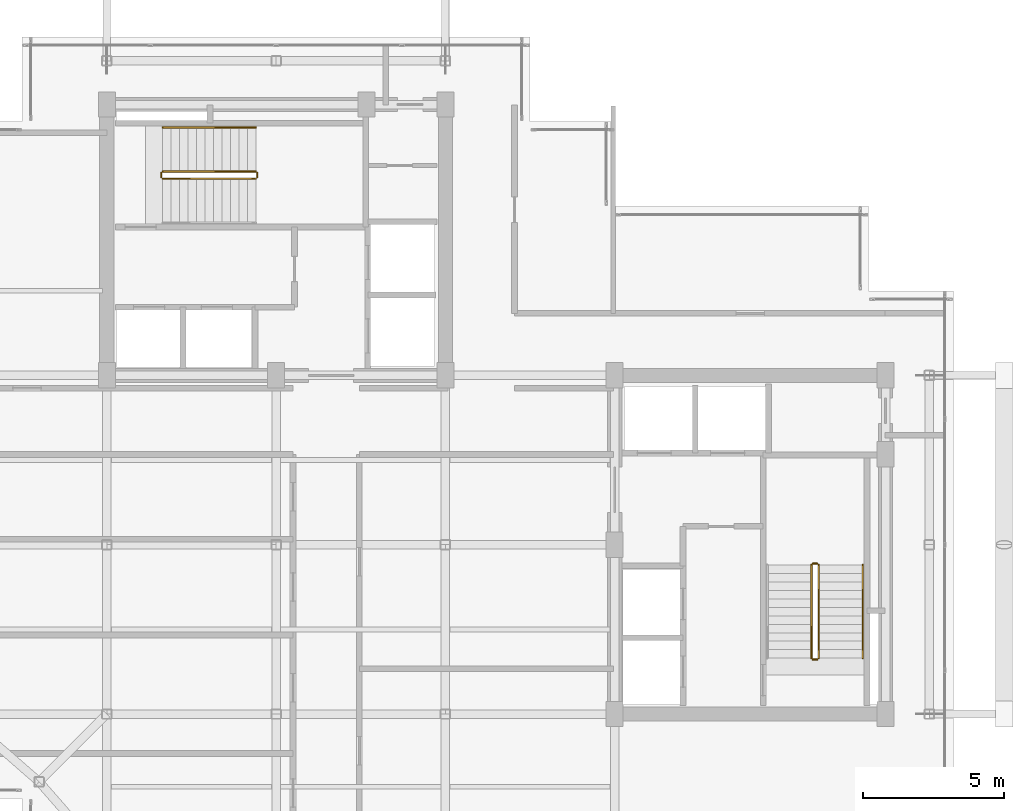
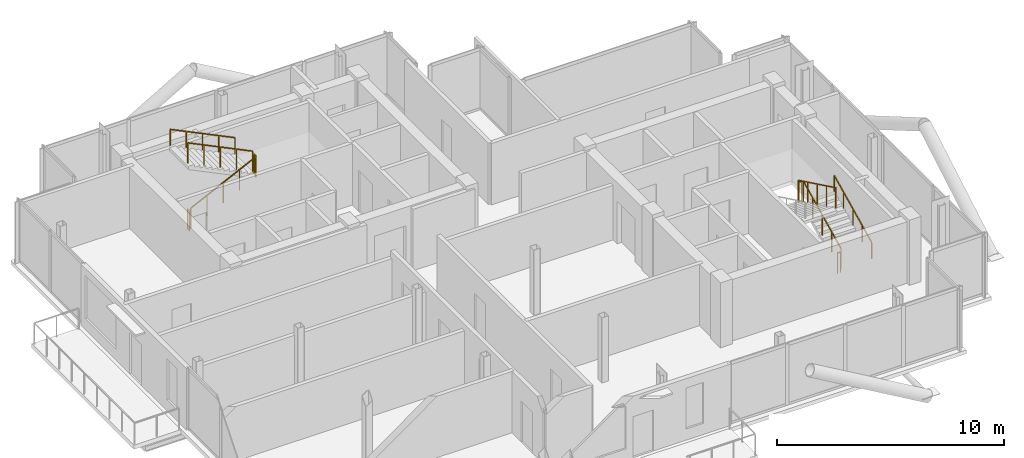
# One storey, part 18 of 18: 10 railings.
"""IFC4 building model written with IfcOpenShell, lengths in metres."""

from ifc_helpers import new_model, si_unit, direction, frame, origin, origin_2d, place, context, subcontext, project, spatial, rectangle, extrude, material, type_object, element, save


model = new_model("IFC4")

# Units and contexts
model_context = context("Model", 3, precision=1e-05, world=origin(), true_north=direction((0.0, 1.0)))
body_context = subcontext(model_context, "Body", "Model", "MODEL_VIEW")
ifc_project = project(units=[si_unit("LENGTHUNIT", "METRE"), si_unit("AREAUNIT", "SQUARE_METRE"), si_unit("VOLUMEUNIT", "CUBIC_METRE"), si_unit("PLANEANGLEUNIT", "RADIAN"), si_unit("MASSUNIT", "GRAM", prefix="KILO"), si_unit("THERMODYNAMICTEMPERATUREUNIT", "KELVIN"), si_unit("POWERUNIT", "WATT")], contexts=[model_context])

# Site, building, storey
site_placement = place(None, origin())
site = spatial("IfcSite", under=ifc_project, at=site_placement, CompositionType="ELEMENT")
building_placement = place(site_placement, origin())
building = spatial("IfcBuilding", under=site, at=building_placement, Name="Svarakhadi Broadcast Tower", CompositionType="ELEMENT")
storey_placement = place(building_placement, frame((0.0, 0.0, 278.199951171875)))
storey = spatial("IfcBuildingStorey", under=building, at=storey_placement, Name="L70", CompositionType="ELEMENT", Elevation=278.199951171875)

# Railings
ifc_material = material(Name="Anodised Bronze Aluminium AA 6063-T6", Category="aluminium")
railing_type_1 = type_object("IfcRailingType", Name="Guard_Stair_GR01", PredefinedType="GUARDRAIL", material=ifc_material)
railing_1_placement = place(storey_placement, frame((7.97998046875, 24.969970703125, 0.14599609375)))
element("IfcRailing", 1, at=railing_1_placement, inside=storey, type_object=railing_type_1, Name="L70 ST-01 stair guard 1", PredefinedType="GUARDRAIL", context=body_context, shape_type="SweptSolid", body=[
    extrude(rectangle(XDim=0.048095703125, YDim=0.048095703125, at=origin_2d()), frame((0.0, 0.0, 1.09619140625), z_axis=(0.899387838337, 0.0, 0.437151594131), x_axis=(0.0, 1.0, 0.0)), (0.0, 0.0, 1.0), 3.669189453125),
    extrude(rectangle(XDim=0.0419921875, YDim=0.0419921875, at=origin_2d()), origin(), (0.0, 0.0, 1.0), 1.072021484375),
    extrude(rectangle(XDim=0.0419921875, YDim=0.0419921875, at=origin_2d()), frame((0.824951171875, 0.0, 0.40087890625)), (0.0, 0.0, 1.0), 1.072021484375),
    extrude(rectangle(XDim=0.0419921875, YDim=0.0419921875, at=origin_2d()), frame((1.64990234375, 0.0, 0.802001953125)), (0.0, 0.0, 1.0), 1.072021484375),
    extrude(rectangle(XDim=0.0419921875, YDim=0.0419921875, at=origin_2d()), frame((2.47509765625, 0.0, 1.203125)), (0.0, 0.0, 1.0), 1.072021484375),
    extrude(rectangle(XDim=0.0419921875, YDim=0.0419921875, at=origin_2d()), frame((3.300048828125, 0.0, 1.60400390625)), (0.0, 0.0, 1.0), 1.072021484375),
])
railing_2_placement = place(storey_placement, frame((11.330078125, 25.02001953125, 1.75)))
element("IfcRailing", 2, at=railing_2_placement, inside=storey, type_object=railing_type_1, Name="L70 ST-01 stair guard 2", PredefinedType="GUARDRAIL", context=body_context, shape_type="SweptSolid", body=[
    extrude(rectangle(XDim=0.048095703125, YDim=0.048095703125, at=origin_2d()), frame((0.0, 0.0, 1.09619140625), z_axis=(0.0, 1.0, 0.0), x_axis=(-1.0, 0.0, 0.0)), (0.0, 0.0, 1.0), 0.159912109375),
    extrude(rectangle(XDim=0.0419921875, YDim=0.0419921875, at=origin_2d()), origin(), (0.0, 0.0, 1.0), 1.072021484375),
    extrude(rectangle(XDim=0.0419921875, YDim=0.0419921875, at=origin_2d()), frame((0.0, 0.159912109375, 0.0)), (0.0, 0.0, 1.0), 1.072021484375),
])
railing_3_placement = place(storey_placement, frame((11.280029296875, 25.22998046875, 1.89599609375)))
element("IfcRailing", 3, at=railing_3_placement, inside=storey, type_object=railing_type_1, Name="L70 ST-01 stair guard 3", PredefinedType="GUARDRAIL", context=body_context, shape_type="SweptSolid", body=[
    extrude(rectangle(XDim=0.048095703125, YDim=0.048095703125, at=origin_2d()), frame((0.0, 0.0, 1.09619140625), z_axis=(-0.899387838337, 0.0, 0.437151594131), x_axis=(0.0, -1.0, 0.0)), (0.0, 0.0, 1.0), 3.669189453125),
    extrude(rectangle(XDim=0.0419921875, YDim=0.0419921875, at=origin_2d()), origin(), (0.0, 0.0, 1.0), 1.072021484375),
    extrude(rectangle(XDim=0.0419921875, YDim=0.0419921875, at=origin_2d()), frame((-0.824951171875, 0.0, 0.40087890625)), (0.0, 0.0, 1.0), 1.072021484375),
    extrude(rectangle(XDim=0.0419921875, YDim=0.0419921875, at=origin_2d()), frame((-1.64990234375, 0.0, 0.802001953125)), (0.0, 0.0, 1.0), 1.072021484375),
    extrude(rectangle(XDim=0.0419921875, YDim=0.0419921875, at=origin_2d()), frame((-2.47509765625, 0.0, 1.203125)), (0.0, 0.0, 1.0), 1.072021484375),
    extrude(rectangle(XDim=0.0419921875, YDim=0.0419921875, at=origin_2d()), frame((-3.300048828125, 0.0, 1.60400390625)), (0.0, 0.0, 1.0), 1.072021484375),
])
railing_4_placement = place(storey_placement, frame((7.929931640625, 25.02001953125, 0.0)))
element("IfcRailing", 4, at=railing_4_placement, inside=storey, type_object=railing_type_1, Name="L70 ST-01 stair guard 4", PredefinedType="GUARDRAIL", context=body_context, shape_type="SweptSolid", body=[
    extrude(rectangle(XDim=0.048095703125, YDim=0.048095703125, at=origin_2d()), frame((0.0, 0.0, 1.09619140625), z_axis=(0.0, 1.0, 0.0), x_axis=(-1.0, 0.0, 0.0)), (0.0, 0.0, 1.0), 0.159912109375),
    extrude(rectangle(XDim=0.0419921875, YDim=0.0419921875, at=origin_2d()), origin(), (0.0, 0.0, 1.0), 1.072021484375),
    extrude(rectangle(XDim=0.0419921875, YDim=0.0419921875, at=origin_2d()), frame((0.0, 0.159912109375, 0.0)), (0.0, 0.0, 1.0), 1.072021484375),
])
railing_5_placement = place(storey_placement, frame((31.22998046875, 7.97998046875, 0.14599609375)))
element("IfcRailing", 5, at=railing_5_placement, inside=storey, type_object=railing_type_1, Name="L70 ST-02 stair guard 1", PredefinedType="GUARDRAIL", context=body_context, shape_type="SweptSolid", body=[
    extrude(rectangle(XDim=0.048095703125, YDim=0.048095703125, at=origin_2d()), frame((0.0, 0.0, 1.09619140625), z_axis=(0.0, 0.899387838337, 0.437151594131), x_axis=(-1.0, 0.0, 0.0)), (0.0, 0.0, 1.0), 3.669189453125),
    extrude(rectangle(XDim=0.0419921875, YDim=0.0419921875, at=origin_2d()), origin(), (0.0, 0.0, 1.0), 1.072021484375),
    extrude(rectangle(XDim=0.0419921875, YDim=0.0419921875, at=origin_2d()), frame((0.0, 0.824951171875, 0.40087890625)), (0.0, 0.0, 1.0), 1.072021484375),
    extrude(rectangle(XDim=0.0419921875, YDim=0.0419921875, at=origin_2d()), frame((0.0, 1.64990234375, 0.802001953125)), (0.0, 0.0, 1.0), 1.072021484375),
    extrude(rectangle(XDim=0.0419921875, YDim=0.0419921875, at=origin_2d()), frame((0.0, 2.47509765625, 1.203125)), (0.0, 0.0, 1.0), 1.072021484375),
    extrude(rectangle(XDim=0.0419921875, YDim=0.0419921875, at=origin_2d()), frame((0.0, 3.300048828125, 1.60400390625)), (0.0, 0.0, 1.0), 1.072021484375),
])
railing_6_placement = place(storey_placement, frame((31.179931640625, 11.330078125, 1.75)))
element("IfcRailing", 6, at=railing_6_placement, inside=storey, type_object=railing_type_1, Name="L70 ST-02 stair guard 2", PredefinedType="GUARDRAIL", context=body_context, shape_type="SweptSolid", body=[
    extrude(rectangle(XDim=0.048095703125, YDim=0.048095703125, at=origin_2d()), frame((0.0, 0.0, 1.09619140625), z_axis=(-1.0, 0.0, 0.0), x_axis=(0.0, -1.0, 0.0)), (0.0, 0.0, 1.0), 0.159912109375),
    extrude(rectangle(XDim=0.0419921875, YDim=0.0419921875, at=origin_2d()), origin(), (0.0, 0.0, 1.0), 1.072021484375),
    extrude(rectangle(XDim=0.0419921875, YDim=0.0419921875, at=origin_2d()), frame((-0.159912109375, 0.0, 0.0)), (0.0, 0.0, 1.0), 1.072021484375),
])
railing_7_placement = place(storey_placement, frame((30.969970703125, 11.280029296875, 1.89599609375)))
element("IfcRailing", 7, at=railing_7_placement, inside=storey, type_object=railing_type_1, Name="L70 ST-02 stair guard 3", PredefinedType="GUARDRAIL", context=body_context, shape_type="SweptSolid", body=[
    extrude(rectangle(XDim=0.048095703125, YDim=0.048095703125, at=origin_2d()), frame((0.0, 0.0, 1.09619140625), z_axis=(0.0, -0.899387838337, 0.437151594131), x_axis=(1.0, 0.0, 0.0)), (0.0, 0.0, 1.0), 3.669189453125),
    extrude(rectangle(XDim=0.0419921875, YDim=0.0419921875, at=origin_2d()), origin(), (0.0, 0.0, 1.0), 1.072021484375),
    extrude(rectangle(XDim=0.0419921875, YDim=0.0419921875, at=origin_2d()), frame((0.0, -0.824951171875, 0.40087890625)), (0.0, 0.0, 1.0), 1.072021484375),
    extrude(rectangle(XDim=0.0419921875, YDim=0.0419921875, at=origin_2d()), frame((0.0, -1.64990234375, 0.802001953125)), (0.0, 0.0, 1.0), 1.072021484375),
    extrude(rectangle(XDim=0.0419921875, YDim=0.0419921875, at=origin_2d()), frame((0.0, -2.47509765625, 1.203125)), (0.0, 0.0, 1.0), 1.072021484375),
    extrude(rectangle(XDim=0.0419921875, YDim=0.0419921875, at=origin_2d()), frame((0.0, -3.300048828125, 1.60400390625)), (0.0, 0.0, 1.0), 1.072021484375),
])
railing_8_placement = place(storey_placement, frame((31.179931640625, 7.929931640625, 0.0)))
element("IfcRailing", 8, at=railing_8_placement, inside=storey, type_object=railing_type_1, Name="L70 ST-02 stair guard 4", PredefinedType="GUARDRAIL", context=body_context, shape_type="SweptSolid", body=[
    extrude(rectangle(XDim=0.048095703125, YDim=0.048095703125, at=origin_2d()), frame((0.0, 0.0, 1.09619140625), z_axis=(-1.0, 0.0, 0.0), x_axis=(0.0, -1.0, 0.0)), (0.0, 0.0, 1.0), 0.159912109375),
    extrude(rectangle(XDim=0.0419921875, YDim=0.0419921875, at=origin_2d()), origin(), (0.0, 0.0, 1.0), 1.072021484375),
    extrude(rectangle(XDim=0.0419921875, YDim=0.0419921875, at=origin_2d()), frame((-0.159912109375, 0.0, 0.0)), (0.0, 0.0, 1.0), 1.072021484375),
])
railing_type_2 = type_object("IfcRailingType", Name="Handrail_Stair_HR01", PredefinedType="HANDRAIL", material=ifc_material)
railing_9_placement = place(storey_placement, frame((11.280029296875, 26.7900390625, 1.89599609375)))
element("IfcRailing", 9, at=railing_9_placement, inside=storey, type_object=railing_type_2, Name="L70 ST-01 stair handrail 2", PredefinedType="HANDRAIL", context=body_context, shape_type="SweptSolid", body=[
    extrude(rectangle(XDim=0.048095703125, YDim=0.048095703125, at=origin_2d()), frame((0.0, 0.0, 0.8759765625), z_axis=(-0.899387838337, 0.0, 0.437151594131), x_axis=(0.0, -1.0, 0.0)), (0.0, 0.0, 1.0), 3.669189453125),
    extrude(rectangle(XDim=0.0419921875, YDim=0.0419921875, at=origin_2d()), origin(), (0.0, 0.0, 1.0), 0.851806640625),
    extrude(rectangle(XDim=0.0419921875, YDim=0.0419921875, at=origin_2d()), frame((-0.824951171875, 0.0, 0.40087890625)), (0.0, 0.0, 1.0), 0.851806640625),
    extrude(rectangle(XDim=0.0419921875, YDim=0.0419921875, at=origin_2d()), frame((-1.64990234375, 0.0, 0.802001953125)), (0.0, 0.0, 1.0), 0.851806640625),
    extrude(rectangle(XDim=0.0419921875, YDim=0.0419921875, at=origin_2d()), frame((-2.47509765625, 0.0, 1.203125)), (0.0, 0.0, 1.0), 0.851806640625),
    extrude(rectangle(XDim=0.0419921875, YDim=0.0419921875, at=origin_2d()), frame((-3.300048828125, 0.0, 1.60400390625)), (0.0, 0.0, 1.0), 0.851806640625),
])
railing_10_placement = place(storey_placement, frame((32.7900390625, 7.97998046875, 0.14599609375)))
element("IfcRailing", 10, at=railing_10_placement, inside=storey, type_object=railing_type_2, Name="L70 ST-02 stair handrail 1", PredefinedType="HANDRAIL", context=body_context, shape_type="SweptSolid", body=[
    extrude(rectangle(XDim=0.048095703125, YDim=0.048095703125, at=origin_2d()), frame((0.0, 0.0, 0.8759765625), z_axis=(0.0, 0.899387838337, 0.437151594131), x_axis=(-1.0, 0.0, 0.0)), (0.0, 0.0, 1.0), 3.669189453125),
    extrude(rectangle(XDim=0.0419921875, YDim=0.0419921875, at=origin_2d()), origin(), (0.0, 0.0, 1.0), 0.851806640625),
    extrude(rectangle(XDim=0.0419921875, YDim=0.0419921875, at=origin_2d()), frame((0.0, 0.824951171875, 0.40087890625)), (0.0, 0.0, 1.0), 0.851806640625),
    extrude(rectangle(XDim=0.0419921875, YDim=0.0419921875, at=origin_2d()), frame((0.0, 1.64990234375, 0.802001953125)), (0.0, 0.0, 1.0), 0.851806640625),
    extrude(rectangle(XDim=0.0419921875, YDim=0.0419921875, at=origin_2d()), frame((0.0, 2.47509765625, 1.203125)), (0.0, 0.0, 1.0), 0.851806640625),
    extrude(rectangle(XDim=0.0419921875, YDim=0.0419921875, at=origin_2d()), frame((0.0, 3.300048828125, 1.60400390625)), (0.0, 0.0, 1.0), 0.851806640625),
])

save(model, "model.ifc")
